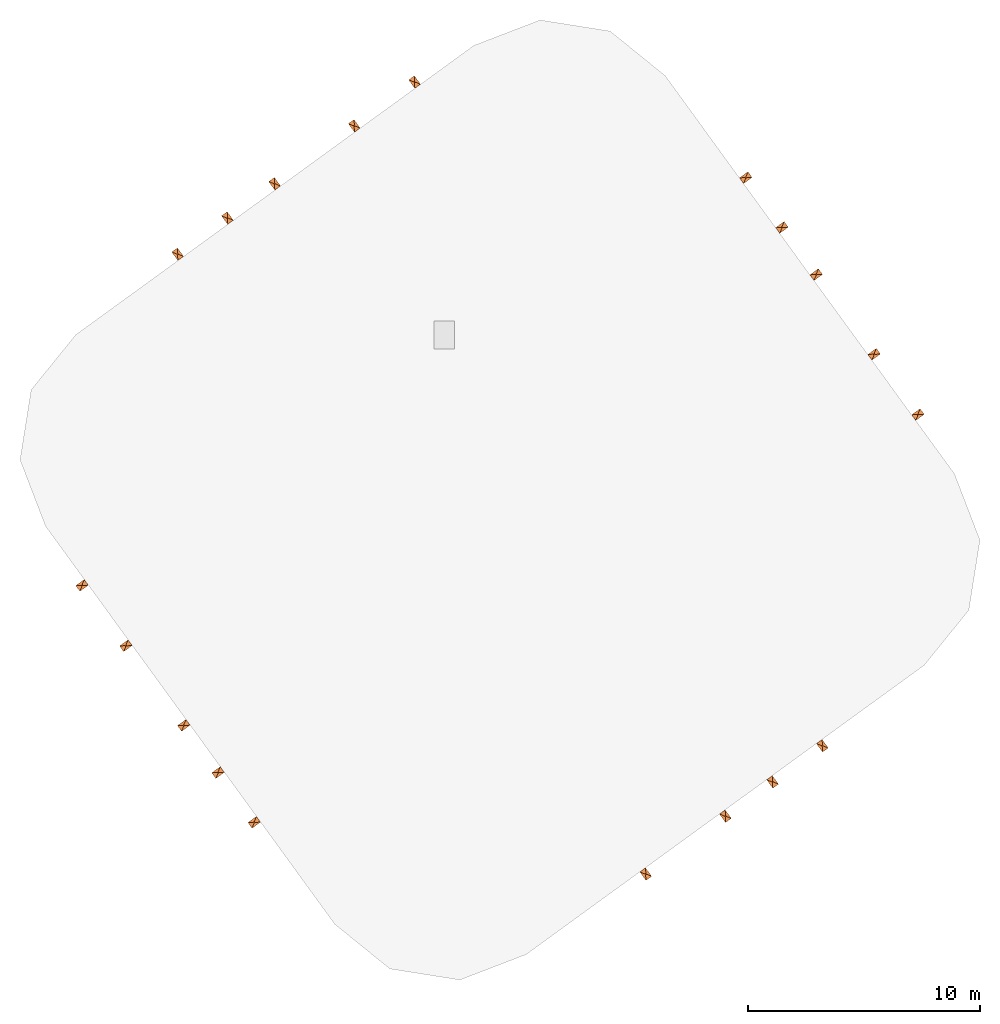
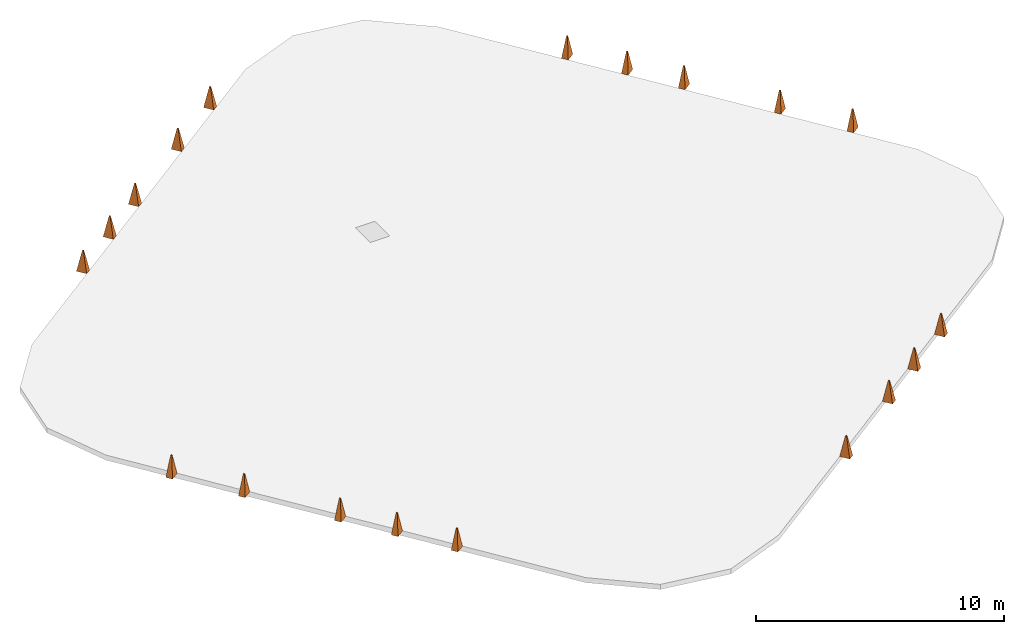
# One storey, part 2 of 2: 19 proxies.
"""IFC4 building model written with IfcOpenShell, lengths in metres."""

from ifc_helpers import new_model, entity, si_unit, direction, frame, origin, place, context, subcontext, project, spatial, material, type_object, element, save


model = new_model("IFC4")

# Units and contexts
model_context = context("Model", 3, precision=1e-05, world=origin(), true_north=direction((0.0, 1.0)))
body_context = subcontext(model_context, "Body", "Model", "MODEL_VIEW")
ifc_project = project(units=[si_unit("LENGTHUNIT", "METRE"), si_unit("AREAUNIT", "SQUARE_METRE"), si_unit("VOLUMEUNIT", "CUBIC_METRE"), si_unit("PLANEANGLEUNIT", "RADIAN"), si_unit("MASSUNIT", "GRAM", prefix="KILO")], contexts=[model_context])

# Site, building, storey
site_placement = place(None, origin())
site = spatial("IfcSite", under=ifc_project, at=site_placement, CompositionType="ELEMENT")
building_placement = place(site_placement, origin())
building = spatial("IfcBuilding", under=site, at=building_placement, Name="Nakasero Lantern House", CompositionType="ELEMENT")
storey_placement = place(building_placement, frame((0.0, 0.0, 310.39990234375)))
storey = spatial("IfcBuildingStorey", under=building, at=storey_placement, Name="ROOF", CompositionType="ELEMENT", Elevation=310.39990234375)

# Proxies
ifc_material = material(Name="Aluminium 6063-T6", Category="aluminium")
building_element_proxy_type = type_object("IfcBuildingElementProxyType", Name="Finial 450x300", PredefinedType="USERDEFINED", material=ifc_material)
for number, where, z_axis, x_axis, name in (
    (1, (18.00048828125, 3.678955078125, 0.0), (0.0, 0.0, 1.0), (0.809016994375, 0.587785252292, 0.0), "Finial 0-00"),
    (2, (16.11279296875, 6.27685546875, 0.0), (0.0, 0.0, 1.0), (0.809016994375, 0.587785252292, 0.0), "Finial 0-01"),
    (3, (13.619873046875, 9.7080078125, 0.0), (0.0, 0.0, 1.0), (0.809016994375, 0.587785252292, 0.0), "Finial 0-02"),
    (4, (12.143798828125, 11.739990234375, 0.0), (0.0, 0.0, 1.0), (0.809016994375, 0.587785252292, 0.0), "Finial 0-03"),
    (5, (10.586181640625, 13.883544921875, 0.0), (0.0, 0.0, 1.0), (0.809016994375, 0.587785252292, 0.0), "Finial 0-04"),
    (6, (-3.678955078125, 18.00048828125, 0.0), (0.0, 0.0, 1.0), (-0.587785252292, 0.809016994375, 0.0), "Finial 1-00"),
    (7, (-6.27685546875, 16.11279296875, 0.0), (0.0, 0.0, 1.0), (-0.587785252292, 0.809016994375, 0.0), "Finial 1-01"),
    (8, (-9.7080078125, 13.619873046875, 0.0), (0.0, 0.0, 1.0), (-0.587785252292, 0.809016994375, 0.0), "Finial 1-02"),
    (9, (-11.739990234375, 12.143798828125, 0.0), (0.0, 0.0, 1.0), (-0.587785252292, 0.809016994375, 0.0), "Finial 1-03"),
    (10, (-13.883544921875, 10.586181640625, 0.0), (0.0, 0.0, 1.0), (-0.587785252292, 0.809016994375, 0.0), "Finial 1-04"),
    (11, (-18.00048828125, -3.678955078125, 0.0), (0.0, 0.0, 1.0), (-0.809016994375, -0.587785252292, 0.0), "Finial 2-00"),
    (12, (-16.11279296875, -6.27685546875, 0.0), (0.0, 0.0, 1.0), (-0.809016994375, -0.587785252292, 0.0), "Finial 2-01"),
    (13, (-13.619873046875, -9.7080078125, 0.0), (0.0, 0.0, 1.0), (-0.809016994375, -0.587785252292, 0.0), "Finial 2-02"),
    (14, (-12.143798828125, -11.739990234375, 0.0), (0.0, 0.0, 1.0), (-0.809016994375, -0.587785252292, 0.0), "Finial 2-03"),
    (15, (-10.586181640625, -13.883544921875, 0.0), (0.0, 0.0, 1.0), (-0.809016994375, -0.587785252292, 0.0), "Finial 2-04"),
    (16, (6.27685546875, -16.11279296875, 0.0), (0.0, 0.0, 1.0), (0.587785252292, -0.809016994375, 0.0), "Finial 3-00"),
    (17, (9.7080078125, -13.619873046875, 0.0), (0.0, 0.0, 1.0), (0.587785252292, -0.809016994375, 0.0), "Finial 3-01"),
    (18, (11.739990234375, -12.143798828125, 0.0), (0.0, 0.0, 1.0), (0.587785252292, -0.809016994375, 0.0), "Finial 3-02"),
    (19, (13.883544921875, -10.586181640625, 0.0), (0.0, 0.0, 1.0), (0.587785252292, -0.809016994375, 0.0), "Finial 3-03"),
):
    element("IfcBuildingElementProxy", number, at=place(storey_placement, frame(where, z_axis=z_axis, x_axis=x_axis)), inside=storey, type_object=building_element_proxy_type, Name=name, ObjectType="FINIAL", PredefinedType="USERDEFINED", context=body_context, shape_type="SweptSolid", body=[
        entity("IfcExtrudedAreaSolidTapered", entity("IfcRectangleProfileDef", "AREA", None, entity("IfcAxis2Placement2D", entity("IfcCartesianPoint", [0.0, 0.0])), 0.449951171875, 0.300048828125), entity("IfcAxis2Placement3D", entity("IfcCartesianPoint", [0.0, 0.0, 0.0])), entity("IfcDirection", [0.0, 0.0, 1.0]), 1.0, entity("IfcRectangleProfileDef", "AREA", None, entity("IfcAxis2Placement2D", entity("IfcCartesianPoint", [0.0, 0.0])), 0.050048828125, 0.050048828125)),
    ])

save(model, "model.ifc")
